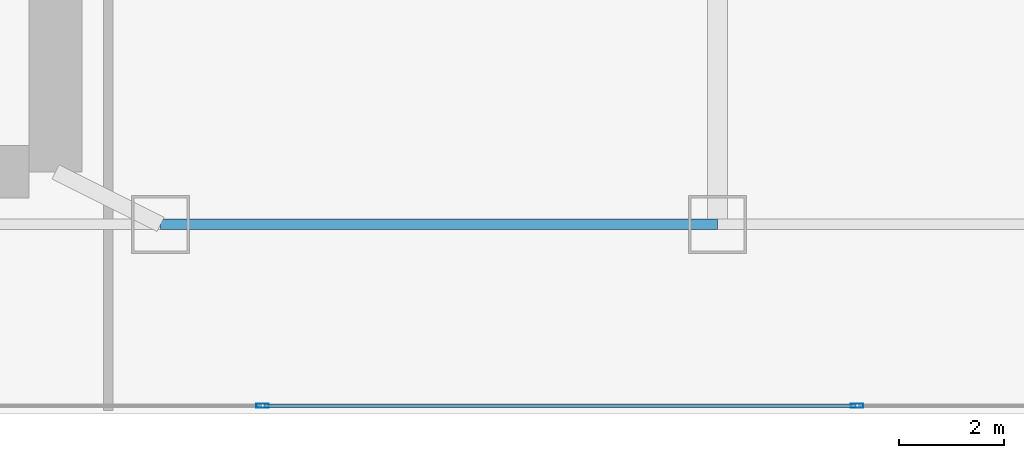
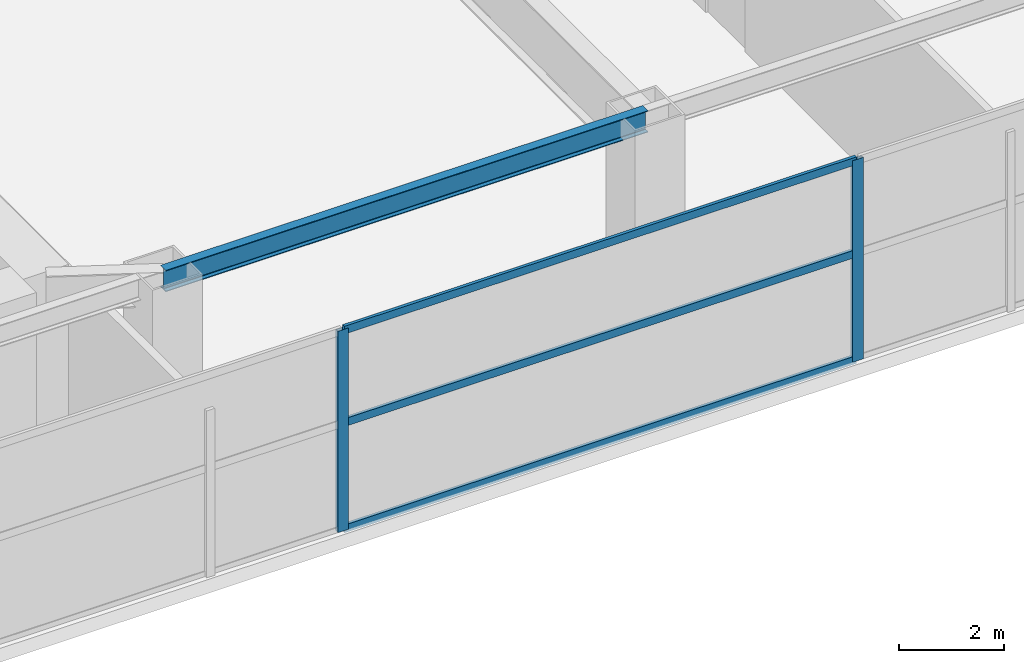
# One storey, part 11 of 35: 5 members, 1 beam, 1 element without a shape of its own.
"""IFC4 building model written with IfcOpenShell, lengths in metres."""

from ifc_helpers import new_model, si_unit, direction, frame, origin, origin_2d, place, context, subcontext, project, spatial, hollow_rectangle, i_section, extrude, material, layer, layer_set, material_profile, profile_set, type_object, element, aggregate, save


model = new_model("IFC4")

# Units and contexts
model_context = context("Model", 3, precision=1e-05, world=origin(), true_north=direction((0.0, 1.0)))
body_context = subcontext(model_context, "Body", "Model", "MODEL_VIEW")
ifc_project = project(units=[si_unit("LENGTHUNIT", "METRE"), si_unit("AREAUNIT", "SQUARE_METRE"), si_unit("VOLUMEUNIT", "CUBIC_METRE"), si_unit("PLANEANGLEUNIT", "RADIAN"), si_unit("MASSUNIT", "GRAM", prefix="KILO")], contexts=[model_context])

# Site, building, storey
site_placement = place(None, origin())
site = spatial("IfcSite", under=ifc_project, at=site_placement, CompositionType="ELEMENT")
building_placement = place(site_placement, origin())
building = spatial("IfcBuilding", under=site, at=building_placement, Name="Calvorn Quay Hotel", CompositionType="ELEMENT")
storey_placement = place(building_placement, frame((0.0, 0.0, 12.0)))
storey = spatial("IfcBuildingStorey", under=building, at=storey_placement, Name="L02", CompositionType="ELEMENT", Elevation=12.0)

# Beam
ifc_material_1 = material(Name="Steel Q355B", Category="steel")
ifc_material_profile_1 = material_profile(ifc_material_1, i_section(OverallWidth=0.199951171875, OverallDepth=0.5, WebThickness=0.010009765625, FlangeThickness=0.01611328125, FilletRadius=0.01611328125, at=origin_2d()), Name="HN500x200x10x16")
ifc_profile_set_1 = profile_set([ifc_material_profile_1], Name="Steel Q355B")
beam_type = type_object("IfcBeamType", Name="BM-SPANDREL-Z1", PredefinedType="SPANDREL", material=ifc_profile_set_1)
beam_placement = place(storey_placement, frame((34.39990234375, 3.60009765625, 4.429931640625), z_axis=(1.0, 0.0, 0.0), x_axis=(0.0, 1.0, 0.0)))
element("IfcBeam", 1, at=beam_placement, inside=storey, type_object=beam_type, Name="Beam BSP-L02-S4", PredefinedType="SPANDREL", context=body_context, shape_type="SweptSolid", body=[
    extrude(i_section(OverallWidth=0.199951171875, OverallDepth=0.5, WebThickness=0.010009765625, FlangeThickness=0.01611328125, FilletRadius=0.01611328125, at=origin_2d()), origin(), (0.0, 0.0, 1.0), 10.60009765625),
])

# Curtain wall, members
ifc_material_2 = material(Name="Pale Anodised Aluminium and Low-E Glass", Category="aluminium")
ifc_layer = layer(ifc_material_2, 0.219970703125)
ifc_layer_set = layer_set([ifc_layer], Name="CW-SYS-POD")
curtain_wall_type = type_object("IfcCurtainWallType", Name="CW-SYS-POD", PredefinedType="NOTDEFINED", material=ifc_layer_set)
curtain_wall_placement = place(storey_placement, origin())
curtain_wall = element("IfcCurtainWall", 2, at=curtain_wall_placement, inside=storey, type_object=curtain_wall_type, Name="Podium Curtain Wall L02-S1", PredefinedType="NOTDEFINED")
ifc_material_3 = material(Name="Pale Anodised Aluminium 6063-T6", Category="aluminium")
ifc_material_profile_2 = material_profile(ifc_material_3, hollow_rectangle(XDim=0.080078125, YDim=0.239990234375, WallThickness=0.0048828125, at=origin_2d()), Name="ALU-M240x80x5")
ifc_profile_set_2 = profile_set([ifc_material_profile_2], Name="Pale Anodised Aluminium 6063-T6")
member_type_1 = type_object("IfcMemberType", Name="CW-SYS-POD-MUL", PredefinedType="MULLION", material=ifc_profile_set_2)
member_1_placement = place(storey_placement, frame((36.3427734375, 0.14990234375, 0.0), z_axis=(0.0, 0.0, 1.0), x_axis=(0.0, 1.0, 0.0)))
member_1 = element("IfcMember", 3, at=member_1_placement, type_object=member_type_1, Name="CW-L02-S1 mullion 4", PredefinedType="MULLION", context=body_context, shape_type="SweptSolid", body=[
    extrude(hollow_rectangle(XDim=0.080078125, YDim=0.239990234375, WallThickness=0.0048828125, at=origin_2d()), origin(), (0.0, 0.0, 1.0), 4.679931640625),
])
member_2_placement = place(storey_placement, frame((47.6572265625, 0.14990234375, 0.0), z_axis=(0.0, 0.0, 1.0), x_axis=(0.0, 1.0, 0.0)))
member_2 = element("IfcMember", 4, at=member_2_placement, type_object=member_type_1, Name="CW-L02-S1 mullion 5", PredefinedType="MULLION", context=body_context, shape_type="SweptSolid", body=[
    extrude(hollow_rectangle(XDim=0.080078125, YDim=0.239990234375, WallThickness=0.0048828125, at=origin_2d()), origin(), (0.0, 0.0, 1.0), 4.679931640625),
])
ifc_material_4 = material(Name="Pale Anodised Aluminium 6063-T6", Category="aluminium")
ifc_material_profile_3 = material_profile(ifc_material_4, hollow_rectangle(XDim=0.070068359375, YDim=0.179931640625, WallThickness=0.00390625, at=origin_2d()), Name="ALU-T180x70x4")
ifc_profile_set_3 = profile_set([ifc_material_profile_3], Name="Pale Anodised Aluminium 6063-T6")
member_type_2 = type_object("IfcMemberType", Name="CW-SYS-POD-TRN", PredefinedType="USERDEFINED", material=ifc_profile_set_3)
member_3_placement = place(storey_placement, frame((36.372802734375, 0.14990234375, 0.030029296875), z_axis=(1.0, 0.0, 0.0), x_axis=(0.0, 1.0, 0.0)))
member_3 = element("IfcMember", 5, at=member_3_placement, type_object=member_type_2, Name="CW-L02-S1 transom 4.1", ObjectType="TRANSOM", PredefinedType="USERDEFINED", context=body_context, shape_type="SweptSolid", body=[
    extrude(hollow_rectangle(XDim=0.070068359375, YDim=0.179931640625, WallThickness=0.00390625, at=origin_2d()), origin(), (0.0, 0.0, 1.0), 11.25439453125),
])
member_4_placement = place(storey_placement, frame((36.372802734375, 0.14990234375, 2.5), z_axis=(1.0, 0.0, 0.0), x_axis=(0.0, 1.0, 0.0)))
member_4 = element("IfcMember", 6, at=member_4_placement, type_object=member_type_2, Name="CW-L02-S1 transom 4.2", ObjectType="TRANSOM", PredefinedType="USERDEFINED", context=body_context, shape_type="SweptSolid", body=[
    extrude(hollow_rectangle(XDim=0.070068359375, YDim=0.179931640625, WallThickness=0.00390625, at=origin_2d()), origin(), (0.0, 0.0, 1.0), 11.25439453125),
])
member_5_placement = place(storey_placement, frame((36.372802734375, 0.14990234375, 4.64990234375), z_axis=(1.0, 0.0, 0.0), x_axis=(0.0, 1.0, 0.0)))
member_5 = element("IfcMember", 7, at=member_5_placement, type_object=member_type_2, Name="CW-L02-S1 transom 4.3", ObjectType="TRANSOM", PredefinedType="USERDEFINED", context=body_context, shape_type="SweptSolid", body=[
    extrude(hollow_rectangle(XDim=0.070068359375, YDim=0.179931640625, WallThickness=0.00390625, at=origin_2d()), origin(), (0.0, 0.0, 1.0), 11.25439453125),
])
aggregate(curtain_wall, [member_1, member_2, member_3, member_4, member_5])

save(model, "model.ifc")
